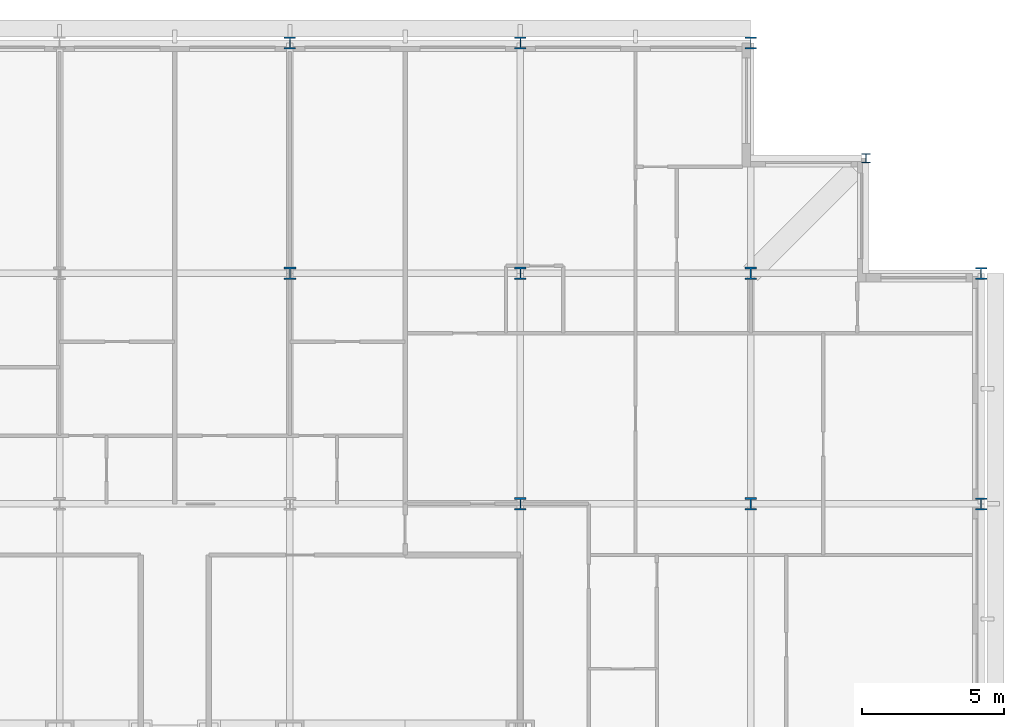
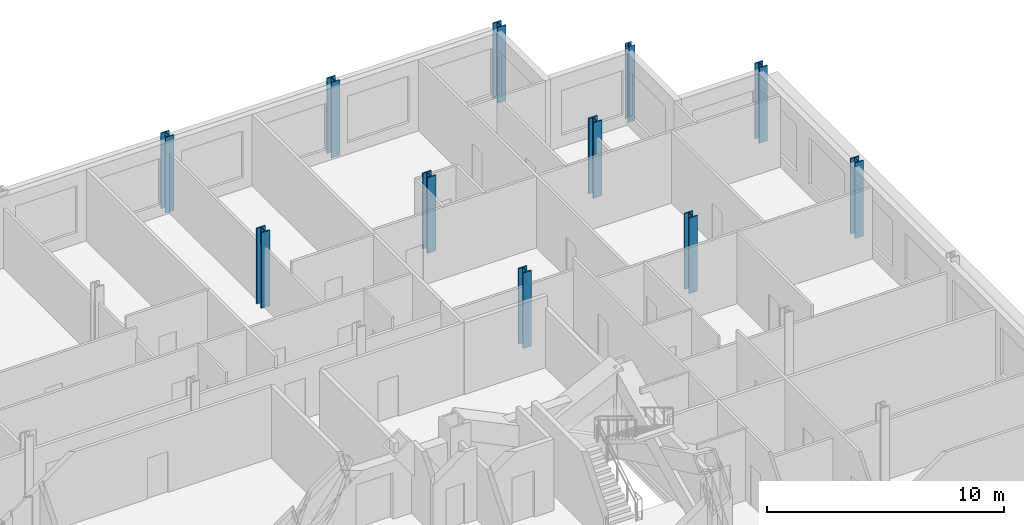
# One storey, part 4 of 15: 11 columns.
"""IFC4 building model written with IfcOpenShell, lengths in metres."""

from ifc_helpers import new_model, si_unit, direction, frame, origin, origin_2d, place, context, subcontext, project, spatial, i_section, extrude, material, material_profile, profile_set, type_object, element, save


model = new_model("IFC4")

# Units and contexts
model_context = context("Model", 3, precision=1e-05, world=origin(), true_north=direction((0.0, 1.0)))
body_context = subcontext(model_context, "Body", "Model", "MODEL_VIEW")
ifc_project = project(units=[si_unit("LENGTHUNIT", "METRE"), si_unit("AREAUNIT", "SQUARE_METRE"), si_unit("VOLUMEUNIT", "CUBIC_METRE"), si_unit("PLANEANGLEUNIT", "RADIAN"), si_unit("MASSUNIT", "GRAM", prefix="KILO")], contexts=[model_context])

# Site, building, storey
site_placement = place(None, origin())
site = spatial("IfcSite", under=ifc_project, at=site_placement, CompositionType="ELEMENT")
building_placement = place(site_placement, origin())
building = spatial("IfcBuilding", under=site, at=building_placement, Name="Kopane Lantern Tower", CompositionType="ELEMENT")
storey_placement = place(building_placement, frame((0.0, 0.0, 289.199951171875)))
storey = spatial("IfcBuildingStorey", under=building, at=storey_placement, Name="L74", CompositionType="ELEMENT", Elevation=289.199951171875)

# Columns
ifc_material_1 = material(Name="Steel S355JR", Category="steel")
ifc_material_profile_1 = material_profile(ifc_material_1, i_section(OverallWidth=0.307373046875, OverallDepth=0.314453125, WebThickness=0.011962890625, FlangeThickness=0.018798828125, FilletRadius=0.01513671875, at=origin_2d()), Name="UC 305x305x118")
ifc_profile_set_1 = profile_set([ifc_material_profile_1], Name="Steel S355JR")
column_type_1 = type_object("IfcColumnType", Name="COLUMN UC 305x305x118", PredefinedType="COLUMN", material=ifc_profile_set_1)
column_placement = place(storey_placement, frame((52.64990234375, 60.75, 0.0), z_axis=(0.0, 0.0, 1.0), x_axis=(1.0, 0.0, 0.0)))
element("IfcColumn", 1, at=column_placement, inside=storey, type_object=column_type_1, Name="Column 52.65/60.75 L74", PredefinedType="COLUMN", context=body_context, shape_type="SweptSolid", body=[
    extrude(i_section(OverallWidth=0.307373046875, OverallDepth=0.314453125, WebThickness=0.011962890625, FlangeThickness=0.018798828125, FilletRadius=0.01513671875, at=origin_2d()), origin(), (0.0, 0.0, 1.0), 3.900146484375),
])
ifc_material_2 = material(Name="Steel S355JR", Category="steel")
ifc_material_profile_2 = material_profile(ifc_material_2, i_section(OverallWidth=0.406982421875, OverallDepth=0.4189453125, WebThickness=0.030517578125, FlangeThickness=0.04931640625, FilletRadius=0.01513671875, at=origin_2d()), Name="UC 356x406x393")
ifc_profile_set_2 = profile_set([ifc_material_profile_2], Name="Steel S355JR")
column_type_2 = type_object("IfcColumnType", Name="COLUMN UC 356x406x393", PredefinedType="COLUMN", material=ifc_profile_set_2)
for number, where, z_axis, x_axis, name in (
    (2, (32.39990234375, 64.800048828125, 0.0), (0.0, 0.0, 1.0), (1.0, 0.0, 0.0), "Column 6/K L74"),
    (3, (40.5, 64.800048828125, 0.0), (0.0, 0.0, 1.0), (1.0, 0.0, 0.0), "Column 7/K L74"),
    (4, (48.60009765625, 64.800048828125, 0.0), (0.0, 0.0, 1.0), (1.0, 0.0, 0.0), "Column 8/K L74"),
    (5, (56.699951171875, 48.60009765625, 0.0), (0.0, 0.0, 1.0), (1.0, 0.0, 0.0), "Column 9/H L74"),
    (6, (56.699951171875, 56.699951171875, 0.0), (0.0, 0.0, 1.0), (1.0, 0.0, 0.0), "Column 9/J L74"),
):
    element("IfcColumn", number, at=place(storey_placement, frame(where, z_axis=z_axis, x_axis=x_axis)), inside=storey, type_object=column_type_2, Name=name, PredefinedType="COLUMN", context=body_context, shape_type="SweptSolid", body=[
        extrude(i_section(OverallWidth=0.406982421875, OverallDepth=0.4189453125, WebThickness=0.030517578125, FlangeThickness=0.04931640625, FilletRadius=0.01513671875, at=origin_2d()), origin(), (0.0, 0.0, 1.0), 3.900146484375),
    ])
ifc_material_3 = material(Name="Steel S355JR", Category="steel")
ifc_material_profile_3 = material_profile(ifc_material_3, i_section(OverallWidth=0.412109375, OverallDepth=0.4365234375, WebThickness=0.035888671875, FlangeThickness=0.05810546875, FilletRadius=0.01513671875, at=origin_2d()), Name="UC 356x406x467")
ifc_profile_set_3 = profile_set([ifc_material_profile_3], Name="Steel S355JR")
column_type_3 = type_object("IfcColumnType", Name="COLUMN UC 356x406x467", PredefinedType="COLUMN", material=ifc_profile_set_3)
for number, where, z_axis, x_axis, name in (
    (7, (32.39990234375, 56.699951171875, 0.0), (0.0, 0.0, 1.0), (1.0, 0.0, 0.0), "Column 6/J L74"),
    (8, (40.5, 48.60009765625, 0.0), (0.0, 0.0, 1.0), (1.0, 0.0, 0.0), "Column 7/H L74"),
    (9, (40.5, 56.699951171875, 0.0), (0.0, 0.0, 1.0), (1.0, 0.0, 0.0), "Column 7/J L74"),
    (10, (48.60009765625, 48.60009765625, 0.0), (0.0, 0.0, 1.0), (1.0, 0.0, 0.0), "Column 8/H L74"),
    (11, (48.60009765625, 56.699951171875, 0.0), (0.0, 0.0, 1.0), (1.0, 0.0, 0.0), "Column 8/J L74"),
):
    element("IfcColumn", number, at=place(storey_placement, frame(where, z_axis=z_axis, x_axis=x_axis)), inside=storey, type_object=column_type_3, Name=name, PredefinedType="COLUMN", context=body_context, shape_type="SweptSolid", body=[
        extrude(i_section(OverallWidth=0.412109375, OverallDepth=0.4365234375, WebThickness=0.035888671875, FlangeThickness=0.05810546875, FilletRadius=0.01513671875, at=origin_2d()), origin(), (0.0, 0.0, 1.0), 3.900146484375),
    ])

save(model, "model.ifc")
